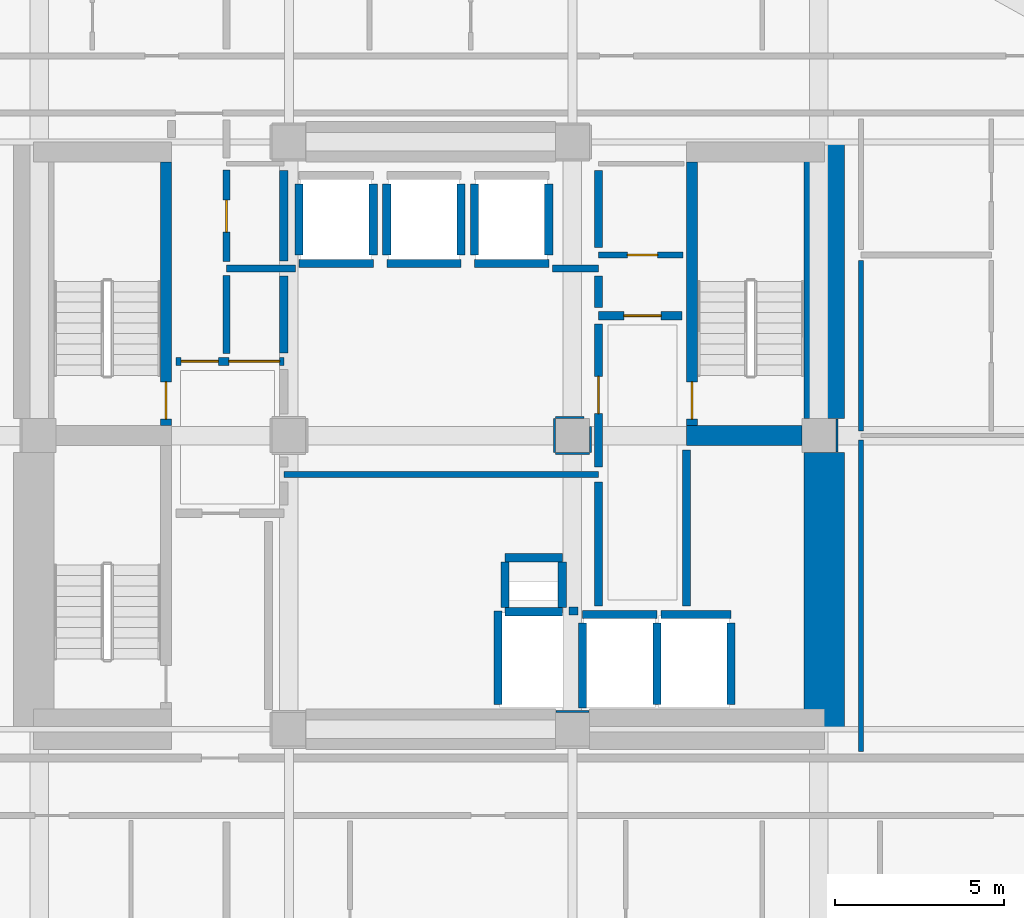
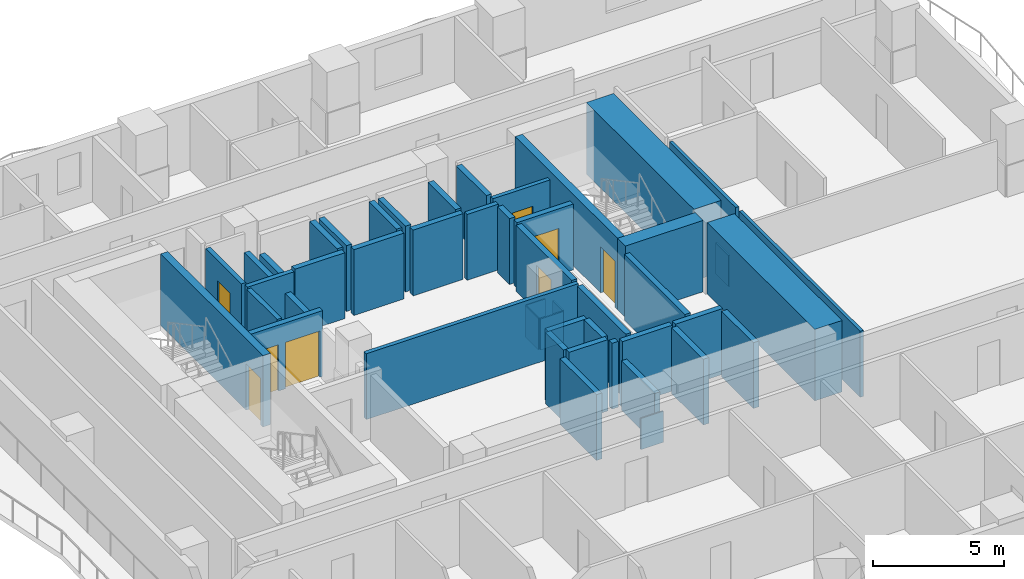
# One storey, part 4 of 10: 48 walls, 8 doors, 8 openings.
"""IFC4 building model written with IfcOpenShell, lengths in metres."""

from ifc_helpers import new_model, si_unit, direction, frame, frame_2d, origin, place, context, subcontext, project, spatial, rectangle, extrude, material, layer, layer_set, type_object, element, fill, save


model = new_model("IFC4")

# Units and contexts
model_context = context("Model", 3, precision=1e-05, world=origin(), true_north=direction((0.0, 1.0)))
body_context = subcontext(model_context, "Body", "Model", "MODEL_VIEW")
ifc_project = project(units=[si_unit("LENGTHUNIT", "METRE"), si_unit("AREAUNIT", "SQUARE_METRE"), si_unit("VOLUMEUNIT", "CUBIC_METRE"), si_unit("PLANEANGLEUNIT", "RADIAN"), si_unit("MASSUNIT", "GRAM", prefix="KILO")], contexts=[model_context])

# Site, building, storey
site_placement = place(None, origin())
site = spatial("IfcSite", under=ifc_project, at=site_placement, CompositionType="ELEMENT")
building_placement = place(site_placement, origin())
building = spatial("IfcBuilding", under=site, at=building_placement, Name="Solanera Arch Residences", CompositionType="ELEMENT")
storey_placement = place(building_placement, frame((0.0, 0.0, 51.8798828125)))
storey = spatial("IfcBuildingStorey", under=building, at=storey_placement, Name="L14", CompositionType="ELEMENT", Elevation=51.8798828125)

# Walls
ifc_material_1 = material(Name="Fire-Rated Gypsum Stud Partition", Category="gypsum")
ifc_layer_1 = layer(ifc_material_1, 0.06005859375)
ifc_layer_set_1 = layer_set([ifc_layer_1], Name="Fire-Rated Gypsum Stud Partition")
wall_type_1 = type_object("IfcWallType", Name="Column Acoustic Furring Wall 60", PredefinedType="PARTITIONING", material=ifc_layer_set_1)
for number, where, z_axis, x_axis, name in (
    (1, (28.7099609375, 22.531982421875, 0.0), (0.0, 0.0, 1.0), (1.0, 0.0, 0.0), "L14 Column Furring 2N"),
    (2, (37.031982421875, 30.2099609375, 0.0), (0.0, 0.0, 1.0), (0.0, 1.0, 0.0), "L14 Column Furring 6E"),
):
    element("IfcWall", number, at=place(storey_placement, frame(where, z_axis=z_axis, x_axis=x_axis)), inside=storey, type_object=wall_type_1, Name=name, PredefinedType="PARTITIONING", context=body_context, shape_type="SweptSolid", body=[
        extrude(rectangle(XDim=0.97998046875, YDim=0.06005859375, at=frame_2d((0.489990234375, 0.0))), origin(), (0.0, 0.0, 1.0), 1.4501953125),
    ])
wall_1_placement = place(storey_placement, frame((28.699951171875, 30.16796875, 0.0), z_axis=(0.0, 0.0, 1.0), x_axis=(1.0, 0.0, 0.0)))
element("IfcWall", 3, at=wall_1_placement, inside=storey, type_object=wall_type_1, Name="L14 Column Furring 8S", PredefinedType="PARTITIONING", context=body_context, shape_type="SweptSolid", body=[
    extrude(rectangle(XDim=1.0, YDim=0.06005859375, at=frame_2d((0.5, 0.0))), origin(), (0.0, 0.0, 1.0), 1.4501953125),
])
wall_2_placement = place(storey_placement, frame((28.699951171875, 31.23193359375, 0.0), z_axis=(0.0, 0.0, 1.0), x_axis=(1.0, 0.0, 0.0)))
element("IfcWall", 4, at=wall_2_placement, inside=storey, type_object=wall_type_1, Name="L14 Column Furring 8N", PredefinedType="PARTITIONING", context=body_context, shape_type="SweptSolid", body=[
    extrude(rectangle(XDim=0.841064453125, YDim=0.06005859375, at=frame_2d((0.42041015625, 0.0))), origin(), (0.0, 0.0, 1.0), 1.4501953125),
])
wall_3_placement = place(storey_placement, frame((28.66796875, 30.199951171875, 0.0), z_axis=(0.0, 0.0, 1.0), x_axis=(0.0, 1.0, 0.0)))
element("IfcWall", 5, at=wall_3_placement, inside=storey, type_object=wall_type_1, Name="L14 Column Furring 8W", PredefinedType="PARTITIONING", context=body_context, shape_type="SweptSolid", body=[
    extrude(rectangle(XDim=1.0, YDim=0.06005859375, at=frame_2d((0.5, 0.0))), origin(), (0.0, 0.0, 1.0), 1.4501953125),
])
wall_4_placement = place(storey_placement, frame((29.73193359375, 30.199951171875, 0.0), z_axis=(0.0, 0.0, 1.0), x_axis=(0.0, 1.0, 0.0)))
element("IfcWall", 6, at=wall_4_placement, inside=storey, type_object=wall_type_1, Name="L14 Column Furring 8E", PredefinedType="PARTITIONING", context=body_context, shape_type="SweptSolid", body=[
    extrude(rectangle(XDim=0.77197265625, YDim=0.06005859375, at=frame_2d((0.385986328125, 0.0))), origin(), (0.0, 0.0, 1.0), 1.4501953125),
])
ifc_material_2 = material(Name="Concrete C55/67 (f'c = 60 MPa)", Category="concrete")
ifc_layer_2 = layer(ifc_material_2, 1.199951171875)
ifc_layer_set_2 = layer_set([ifc_layer_2], Name="Concrete C55/67 (f'c = 60 MPa)")
wall_type_2 = type_object("IfcWallType", Name="Core Shear Wall CW-1200", PredefinedType="SHEAR", material=ifc_layer_set_2)
wall_5_placement = place(storey_placement, frame((36.659912109375, 22.0, 0.0), z_axis=(0.0, 0.0, 1.0), x_axis=(0.0, 1.0, 0.0)))
element("IfcWall", 7, at=wall_5_placement, inside=storey, type_object=wall_type_2, Name="L14 East Core South Shear Wall", PredefinedType="SHEAR", context=body_context, shape_type="SweptSolid", body=[
    extrude(rectangle(XDim=8.195068359375, YDim=1.199951171875, at=frame_2d((4.09765625, 0.0))), origin(), (0.0, 0.0, 1.0), 3.320068359375),
])
wall_6_placement = place(storey_placement, frame((36.659912109375, 31.205078125, 0.0), z_axis=(0.0, 0.0, 1.0), x_axis=(0.0, 1.0, 0.0)))
element("IfcWall", 8, at=wall_6_placement, inside=storey, type_object=wall_type_2, Name="L14 East Core North Shear Wall", PredefinedType="SHEAR", context=body_context, shape_type="SweptSolid", body=[
    extrude(rectangle(XDim=8.19482421875, YDim=1.199951171875, at=frame_2d((4.097412109375, 0.0))), origin(), (0.0, 0.0, 1.0), 3.320068359375),
])

# Wall, opening, door
ifc_material_3 = material(Name="Concrete C40/50 (f'c = 45 MPa)", Category="concrete")
ifc_layer_3 = layer(ifc_material_3, 0.320068359375)
ifc_layer_set_3 = layer_set([ifc_layer_3], Name="Concrete C40/50 (f'c = 45 MPa)")
wall_type_3 = type_object("IfcWallType", Name="Core Shear Wall CW-320", PredefinedType="SHEAR", material=ifc_layer_set_3)
wall_7_placement = place(storey_placement, frame((17.159912109375, 31.0, 0.0), z_axis=(0.0, 0.0, 1.0), x_axis=(0.0, 1.0, 0.0)))
wall_7 = element("IfcWall", 9, at=wall_7_placement, inside=storey, type_object=wall_type_3, Name="L14 Stair ST-T1 East Shear Wall", PredefinedType="SHEAR", context=body_context, shape_type="SweptSolid", body=[
    extrude(rectangle(XDim=7.800048828125, YDim=0.320068359375, at=frame_2d((3.89990234375, 0.0))), origin(), (0.0, 0.0, 1.0), 3.320068359375),
])
opening_1_placement = place(wall_7_placement, frame((0.18994140625, 0.0, 0.0)))
opening_1 = element("IfcOpeningElement", 10, at=opening_1_placement, cuts=wall_7, Name="Opening DF-01", PredefinedType="OPENING", context=body_context, shape_type="SweptSolid", body=[
    extrude(rectangle(XDim=1.10009765625, YDim=2.14990234375, at=frame_2d((0.550048828125, 1.074951171875))), frame((0.0, 0.169921875, 0.0), z_axis=(0.0, -1.0, 0.0), x_axis=(1.0, 0.0, 0.0)), (0.0, 0.0, 1.0), 0.3401),
])
ifc_material_4 = material(Name="Fire-Rated Architectural Hardwood", Category="wood")
door_type_1 = type_object("IfcDoorType", Name="Stair Exit Fire Door DF-01", OperationType="NOTDEFINED", PredefinedType="DOOR", material=ifc_material_4)
door_1_placement = place(opening_1_placement, origin())
door_1 = element("IfcDoor", 11, at=door_1_placement, inside=storey, type_object=door_type_1, Name="DR-L14-STAIR-ST-T1", OperationType="SINGLE_SWING_RIGHT", OverallHeight=2.14990234375, OverallWidth=1.10009765625, PredefinedType="DOOR", context=body_context, shape_type="SweptSolid", body=[
    extrude(rectangle(XDim=1.10009765625, YDim=2.14990234375, at=frame_2d((0.550048828125, 1.074951171875))), frame((0.0, 0.02490234375, 0.0), z_axis=(0.0, -1.0, 0.0), x_axis=(1.0, 0.0, 0.0)), (0.0, 0.0, 1.0), 0.050048828125),
])
fill(opening_1, door_1)

wall_8_placement = place(storey_placement, frame((32.739990234375, 31.0, 0.0), z_axis=(0.0, 0.0, 1.0), x_axis=(0.0, 1.0, 0.0)))
wall_8 = element("IfcWall", 12, at=wall_8_placement, inside=storey, type_object=wall_type_3, Name="L14 Stair ST-T2 West Shear Wall", PredefinedType="SHEAR", context=body_context, shape_type="SweptSolid", body=[
    extrude(rectangle(XDim=7.800048828125, YDim=0.320068359375, at=frame_2d((3.89990234375, 0.0))), origin(), (0.0, 0.0, 1.0), 3.320068359375),
])
opening_2_placement = place(wall_8_placement, frame((0.18994140625, 0.0, 0.0)))
opening_2 = element("IfcOpeningElement", 13, at=opening_2_placement, cuts=wall_8, Name="Opening DF-01", PredefinedType="OPENING", context=body_context, shape_type="SweptSolid", body=[
    extrude(rectangle(XDim=1.10009765625, YDim=2.14990234375, at=frame_2d((0.550048828125, 1.074951171875))), frame((0.0, 0.169921875, 0.0), z_axis=(0.0, -1.0, 0.0), x_axis=(1.0, 0.0, 0.0)), (0.0, 0.0, 1.0), 0.3401),
])
door_2_placement = place(opening_2_placement, origin())
door_2 = element("IfcDoor", 14, at=door_2_placement, inside=storey, type_object=door_type_1, Name="DR-L14-STAIR-ST-T2", OperationType="SINGLE_SWING_LEFT", OverallHeight=2.14990234375, OverallWidth=1.10009765625, PredefinedType="DOOR", context=body_context, shape_type="SweptSolid", body=[
    extrude(rectangle(XDim=1.10009765625, YDim=2.14990234375, at=frame_2d((0.550048828125, 1.074951171875))), frame((0.0, 0.02490234375, 0.0), z_axis=(0.0, -1.0, 0.0), x_axis=(1.0, 0.0, 0.0)), (0.0, 0.0, 1.0), 0.050048828125),
])
fill(opening_2, door_2)

# Walls
ifc_material_5 = material(Name="Concrete C40/50 (f'c = 45 MPa)", Category="concrete")
ifc_layer_4 = layer(ifc_material_5, 0.60009765625)
ifc_layer_set_4 = layer_set([ifc_layer_4], Name="Concrete C40/50 (f'c = 45 MPa)")
wall_type_4 = type_object("IfcWallType", Name="Core Shear Wall CW-600", PredefinedType="SHEAR", material=ifc_layer_set_4)
wall_9_placement = place(storey_placement, frame((32.580078125, 30.699951171875, 0.0), z_axis=(0.0, 0.0, 1.0), x_axis=(1.0, 0.0, 0.0)))
element("IfcWall", 15, at=wall_9_placement, inside=storey, type_object=wall_type_4, Name="L14 East Stair Far-Landing Shear Wall", PredefinedType="SHEAR", context=body_context, shape_type="SweptSolid", body=[
    extrude(rectangle(XDim=3.4150390625, YDim=0.60009765625, at=frame_2d((1.70751953125, 0.0))), origin(), (0.0, 0.0, 1.0), 3.320068359375),
])
ifc_material_6 = material(Name="Autoclaved Aerated Concrete Blockwork", Category="masonry")
ifc_layer_5 = layer(ifc_material_6, 0.179931640625)
ifc_layer_set_5 = layer_set([ifc_layer_5], Name="Autoclaved Aerated Concrete Blockwork")
wall_type_5 = type_object("IfcWallType", Name="Corridor Fire Partition 180", PredefinedType="PARTITIONING", material=ifc_layer_set_5)
wall_10_placement = place(storey_placement, frame((20.64990234375, 29.550048828125, 0.0), z_axis=(0.0, 0.0, 1.0), x_axis=(1.0, 0.0, 0.0)))
element("IfcWall", 16, at=wall_10_placement, inside=storey, type_object=wall_type_5, Name="L14 Interior Partition H8", PredefinedType="PARTITIONING", context=body_context, shape_type="SweptSolid", body=[
    extrude(rectangle(XDim=9.3251953125, YDim=0.179931640625, at=frame_2d((4.66259765625, 0.0))), origin(), (0.0, 0.0, 1.0), 3.06005859375),
])

# Wall, opening, door
wall_11_placement = place(storey_placement, frame((29.97509765625, 36.050048828125, 0.0), z_axis=(0.0, 0.0, 1.0), x_axis=(1.0, 0.0, 0.0)))
wall_11 = element("IfcWall", 17, at=wall_11_placement, inside=storey, type_object=wall_type_5, Name="L14 Interior Partition H9", PredefinedType="PARTITIONING", context=body_context, shape_type="SweptSolid", body=[
    extrude(rectangle(XDim=2.5048828125, YDim=0.179931640625, at=frame_2d((1.25244140625, 0.0))), origin(), (0.0, 0.0, 1.0), 3.06005859375),
])
opening_3_placement = place(wall_11_placement, frame((0.85205078125, 0.0, 0.0)))
opening_3 = element("IfcOpeningElement", 18, at=opening_3_placement, cuts=wall_11, Name="Opening DI-02", PredefinedType="OPENING", context=body_context, shape_type="SweptSolid", body=[
    extrude(rectangle(XDim=0.89990234375, YDim=2.10009765625, at=frame_2d((0.449951171875, 1.050048828125))), frame((0.0, 0.10009765625, 0.0), z_axis=(0.0, -1.0, 0.0), x_axis=(1.0, 0.0, 0.0)), (0.0, 0.0, 1.0), 0.1999),
])
ifc_material_7 = material(Name="Fire-Rated Architectural Hardwood", Category="wood")
door_type_2 = type_object("IfcDoorType", Name="Suite Room Swing Door DI-02", OperationType="NOTDEFINED", PredefinedType="DOOR", material=ifc_material_7)
door_3_placement = place(opening_3_placement, origin())
door_3 = element("IfcDoor", 19, at=door_3_placement, inside=storey, type_object=door_type_2, Name="DR-L14-IN-013", OperationType="SINGLE_SWING_RIGHT", OverallHeight=2.10009765625, OverallWidth=0.89990234375, PredefinedType="DOOR", context=body_context, shape_type="SweptSolid", body=[
    extrude(rectangle(XDim=0.89990234375, YDim=2.10009765625, at=frame_2d((0.449951171875, 1.050048828125))), frame((0.0, 0.02490234375, 0.0), z_axis=(0.0, -1.0, 0.0), x_axis=(1.0, 0.0, 0.0)), (0.0, 0.0, 1.0), 0.050048828125),
])
fill(opening_3, door_3)

# Walls
ifc_material_8 = material(Name="Autoclaved Aerated Concrete Blockwork", Category="masonry")
ifc_layer_6 = layer(ifc_material_8, 0.199951171875)
ifc_layer_set_6 = layer_set([ifc_layer_6], Name="Autoclaved Aerated Concrete Blockwork")
wall_type_6 = type_object("IfcWallType", Name="Party Wall Acoustic 200", PredefinedType="PARTITIONING", material=ifc_layer_set_6)
wall_12_placement = place(storey_placement, frame((18.949951171875, 35.64990234375, 0.0), z_axis=(0.0, 0.0, 1.0), x_axis=(1.0, 0.0, 0.0)))
element("IfcWall", 20, at=wall_12_placement, inside=storey, type_object=wall_type_6, Name="L14 Interior Partition H6 1", PredefinedType="PARTITIONING", context=body_context, shape_type="SweptSolid", body=[
    extrude(rectangle(XDim=2.046142578125, YDim=0.199951171875, at=frame_2d((1.02294921875, 0.0))), origin(), (0.0, 0.0, 1.0), 3.06005859375),
])
wall_13_placement = place(storey_placement, frame((28.60400390625, 35.64990234375, 0.0), z_axis=(0.0, 0.0, 1.0), x_axis=(1.0, 0.0, 0.0)))
element("IfcWall", 21, at=wall_13_placement, inside=storey, type_object=wall_type_6, Name="L14 Interior Partition H6 2", PredefinedType="PARTITIONING", context=body_context, shape_type="SweptSolid", body=[
    extrude(rectangle(XDim=1.37109375, YDim=0.199951171875, at=frame_2d((0.685546875, 0.0))), origin(), (0.0, 0.0, 1.0), 3.06005859375),
])
wall_14_placement = place(storey_placement, frame((18.949951171875, 33.1279296875, 0.0), z_axis=(0.0, 0.0, 1.0), x_axis=(0.0, 1.0, 0.0)))
element("IfcWall", 22, at=wall_14_placement, inside=storey, type_object=wall_type_6, Name="L14 Interior Partition V7 1", PredefinedType="PARTITIONING", context=body_context, shape_type="SweptSolid", body=[
    extrude(rectangle(XDim=2.31396484375, YDim=0.199951171875, at=frame_2d((1.156982421875, 0.0))), origin(), (0.0, 0.0, 1.0), 3.06005859375),
])

# Wall, opening, door
wall_15_placement = place(storey_placement, frame((18.949951171875, 35.85791015625, 0.0), z_axis=(0.0, 0.0, 1.0), x_axis=(0.0, 1.0, 0.0)))
wall_15 = element("IfcWall", 23, at=wall_15_placement, inside=storey, type_object=wall_type_6, Name="L14 Interior Partition V7 2", PredefinedType="PARTITIONING", context=body_context, shape_type="SweptSolid", body=[
    extrude(rectangle(XDim=2.714111328125, YDim=0.199951171875, at=frame_2d((1.35693359375, 0.0))), origin(), (0.0, 0.0, 1.0), 3.06005859375),
])
opening_4_placement = place(wall_15_placement, frame((0.866943359375, 0.0, 0.0)))
opening_4 = element("IfcOpeningElement", 24, at=opening_4_placement, cuts=wall_15, Name="Opening DI-04", PredefinedType="OPENING", context=body_context, shape_type="SweptSolid", body=[
    extrude(rectangle(XDim=0.949951171875, YDim=2.10009765625, at=frame_2d((0.47509765625, 1.050048828125))), frame((0.0, 0.110107421875, 0.0), z_axis=(0.0, -1.0, 0.0), x_axis=(1.0, 0.0, 0.0)), (0.0, 0.0, 1.0), 0.22),
])
ifc_material_9 = material(Name="Fire-Rated Architectural Hardwood", Category="wood")
door_type_3 = type_object("IfcDoorType", Name="Accessible Restroom Door DI-04", OperationType="NOTDEFINED", PredefinedType="DOOR", material=ifc_material_9)
door_4_placement = place(opening_4_placement, origin())
door_4 = element("IfcDoor", 25, at=door_4_placement, inside=storey, type_object=door_type_3, Name="DR-L14-IN-014", OperationType="SINGLE_SWING_LEFT", OverallHeight=2.10009765625, OverallWidth=0.949951171875, PredefinedType="DOOR", context=body_context, shape_type="SweptSolid", body=[
    extrude(rectangle(XDim=0.949951171875, YDim=2.10009765625, at=frame_2d((0.47509765625, 1.050048828125))), frame((0.0, 0.02490234375, 0.0), z_axis=(0.0, -1.0, 0.0), x_axis=(1.0, 0.0, 0.0)), (0.0, 0.0, 1.0), 0.050048828125),
])
fill(opening_4, door_4)

# Walls
ifc_material_10 = material(Name="Concrete C40/50 (f'c = 45 MPa)", Category="concrete")
ifc_layer_7 = layer(ifc_material_10, 0.239990234375)
ifc_layer_set_7 = layer_set([ifc_layer_7], Name="Concrete C40/50 (f'c = 45 MPa)")
wall_type_7 = type_object("IfcWallType", Name="Ramp Bearing Shear Wall RW-240", PredefinedType="SHEAR", material=ifc_layer_set_7)
for number, where, z_axis, x_axis, name in (
    (26, (27.199951171875, 25.47998046875, 0.0), (0.0, 0.0, 1.0), (1.0, 0.0, 0.0), "L14 Core MEP Riser South Shaft Wall"),
    (27, (27.199951171875, 27.080078125, 0.0), (0.0, 0.0, 1.0), (1.0, 0.0, 0.0), "L14 Core MEP Riser North Shaft Wall"),
):
    element("IfcWall", number, at=place(storey_placement, frame(where, z_axis=z_axis, x_axis=x_axis)), inside=storey, type_object=wall_type_7, Name=name, PredefinedType="SHEAR", context=body_context, shape_type="SweptSolid", body=[
        extrude(rectangle(XDim=1.699951171875, YDim=0.239990234375, at=frame_2d((0.85009765625, 0.0))), origin(), (0.0, 0.0, 1.0), 3.320068359375),
    ])
for number, where, z_axis, x_axis, name in (
    (28, (27.199951171875, 25.60009765625, 0.0), (0.0, 0.0, 1.0), (0.0, 1.0, 0.0), "L14 Core MEP Riser West Shaft Wall"),
    (29, (28.89990234375, 25.60009765625, 0.0), (0.0, 0.0, 1.0), (0.0, 1.0, 0.0), "L14 Core MEP Riser East Shaft Wall"),
):
    element("IfcWall", number, at=place(storey_placement, frame(where, z_axis=z_axis, x_axis=x_axis)), inside=storey, type_object=wall_type_7, Name=name, PredefinedType="SHEAR", context=body_context, shape_type="SweptSolid", body=[
        extrude(rectangle(XDim=1.35986328125, YDim=0.239990234375, at=frame_2d((0.679931640625, 0.0))), origin(), (0.0, 0.0, 1.0), 3.320068359375),
    ])
ifc_material_11 = material(Name="Autoclaved Aerated Concrete Blockwork", Category="masonry")
ifc_layer_8 = layer(ifc_material_11, 0.239990234375)
ifc_layer_set_8 = layer_set([ifc_layer_8], Name="Autoclaved Aerated Concrete Blockwork")
wall_type_8 = type_object("IfcWallType", Name="Shaft Wall Fire-Rated 240", PredefinedType="PARTITIONING", material=ifc_layer_set_8)
wall_16_placement = place(storey_placement, frame((21.10009765625, 35.800048828125, 0.0), z_axis=(0.0, 0.0, 1.0), x_axis=(1.0, 0.0, 0.0)))
element("IfcWall", 30, at=wall_16_placement, inside=storey, type_object=wall_type_8, Name="L14 Lift PL-L1 Hoistway Wall S", PredefinedType="PARTITIONING", context=body_context, shape_type="SweptSolid", body=[
    extrude(rectangle(XDim=2.199951171875, YDim=0.239990234375, at=frame_2d((1.10009765625, 0.0))), origin(), (0.0, 0.0, 1.0), 3.06005859375),
])
wall_17_placement = place(storey_placement, frame((21.10009765625, 36.048095703125, 0.0), z_axis=(0.0, 0.0, 1.0), x_axis=(0.0, 1.0, 0.0)))
element("IfcWall", 31, at=wall_17_placement, inside=storey, type_object=wall_type_8, Name="L14 Lift PL-L1 Hoistway Wall W", PredefinedType="PARTITIONING", context=body_context, shape_type="SweptSolid", body=[
    extrude(rectangle(XDim=2.10400390625, YDim=0.239990234375, at=frame_2d((1.052001953125, 0.0))), origin(), (0.0, 0.0, 1.0), 2.295166015625),
])
wall_18_placement = place(storey_placement, frame((23.300048828125, 36.048095703125, 0.0), z_axis=(0.0, 0.0, 1.0), x_axis=(0.0, 1.0, 0.0)))
element("IfcWall", 32, at=wall_18_placement, inside=storey, type_object=wall_type_8, Name="L14 Lift PL-L1 Hoistway Wall E", PredefinedType="PARTITIONING", context=body_context, shape_type="SweptSolid", body=[
    extrude(rectangle(XDim=2.10400390625, YDim=0.239990234375, at=frame_2d((1.052001953125, 0.0))), origin(), (0.0, 0.0, 1.0), 3.06005859375),
])
wall_19_placement = place(storey_placement, frame((23.699951171875, 35.800048828125, 0.0), z_axis=(0.0, 0.0, 1.0), x_axis=(1.0, 0.0, 0.0)))
element("IfcWall", 33, at=wall_19_placement, inside=storey, type_object=wall_type_8, Name="L14 Lift PL-L2 Hoistway Wall S", PredefinedType="PARTITIONING", context=body_context, shape_type="SweptSolid", body=[
    extrude(rectangle(XDim=2.199951171875, YDim=0.239990234375, at=frame_2d((1.10009765625, 0.0))), origin(), (0.0, 0.0, 1.0), 3.06005859375),
])
for number, where, z_axis, x_axis, name in (
    (34, (23.699951171875, 36.048095703125, 0.0), (0.0, 0.0, 1.0), (0.0, 1.0, 0.0), "L14 Lift PL-L2 Hoistway Wall W"),
    (35, (25.89990234375, 36.048095703125, 0.0), (0.0, 0.0, 1.0), (0.0, 1.0, 0.0), "L14 Lift PL-L2 Hoistway Wall E"),
):
    element("IfcWall", number, at=place(storey_placement, frame(where, z_axis=z_axis, x_axis=x_axis)), inside=storey, type_object=wall_type_8, Name=name, PredefinedType="PARTITIONING", context=body_context, shape_type="SweptSolid", body=[
        extrude(rectangle(XDim=2.10400390625, YDim=0.239990234375, at=frame_2d((1.052001953125, 0.0))), origin(), (0.0, 0.0, 1.0), 3.06005859375),
    ])
wall_20_placement = place(storey_placement, frame((26.300048828125, 35.800048828125, 0.0), z_axis=(0.0, 0.0, 1.0), x_axis=(1.0, 0.0, 0.0)))
element("IfcWall", 36, at=wall_20_placement, inside=storey, type_object=wall_type_8, Name="L14 Lift PL-L3 Hoistway Wall S", PredefinedType="PARTITIONING", context=body_context, shape_type="SweptSolid", body=[
    extrude(rectangle(XDim=2.199951171875, YDim=0.239990234375, at=frame_2d((1.10009765625, 0.0))), origin(), (0.0, 0.0, 1.0), 3.06005859375),
])
for number, where, z_axis, x_axis, name in (
    (37, (26.300048828125, 36.048095703125, 0.0), (0.0, 0.0, 1.0), (0.0, 1.0, 0.0), "L14 Lift PL-L3 Hoistway Wall W"),
    (38, (28.5, 36.048095703125, 0.0), (0.0, 0.0, 1.0), (0.0, 1.0, 0.0), "L14 Lift PL-L3 Hoistway Wall E"),
):
    element("IfcWall", number, at=place(storey_placement, frame(where, z_axis=z_axis, x_axis=x_axis)), inside=storey, type_object=wall_type_8, Name=name, PredefinedType="PARTITIONING", context=body_context, shape_type="SweptSolid", body=[
        extrude(rectangle(XDim=2.10400390625, YDim=0.239990234375, at=frame_2d((1.052001953125, 0.0))), origin(), (0.0, 0.0, 1.0), 3.06005859375),
    ])
wall_21_placement = place(storey_placement, frame((29.5, 25.39990234375, 0.0), z_axis=(0.0, 0.0, 1.0), x_axis=(1.0, 0.0, 0.0)))
element("IfcWall", 39, at=wall_21_placement, inside=storey, type_object=wall_type_8, Name="L14 Lift FFL-1 Hoistway Wall N", PredefinedType="PARTITIONING", context=body_context, shape_type="SweptSolid", body=[
    extrude(rectangle(XDim=2.199951171875, YDim=0.239990234375, at=frame_2d((1.10009765625, 0.0))), origin(), (0.0, 0.0, 1.0), 3.06005859375),
])
wall_22_placement = place(storey_placement, frame((29.5, 22.632080078125, 0.0), z_axis=(0.0, 0.0, 1.0), x_axis=(0.0, 1.0, 0.0)))
element("IfcWall", 40, at=wall_22_placement, inside=storey, type_object=wall_type_8, Name="L14 Lift FFL-1 Hoistway Wall W", PredefinedType="PARTITIONING", context=body_context, shape_type="SweptSolid", body=[
    extrude(rectangle(XDim=2.52001953125, YDim=0.239990234375, at=frame_2d((1.260009765625, 0.0))), origin(), (0.0, 0.0, 1.0), 2.295166015625),
])
wall_23_placement = place(storey_placement, frame((31.699951171875, 22.72998046875, 0.0), z_axis=(0.0, 0.0, 1.0), x_axis=(0.0, 1.0, 0.0)))
element("IfcWall", 41, at=wall_23_placement, inside=storey, type_object=wall_type_8, Name="L14 Lift FFL-1 Hoistway Wall E", PredefinedType="PARTITIONING", context=body_context, shape_type="SweptSolid", body=[
    extrude(rectangle(XDim=2.422119140625, YDim=0.239990234375, at=frame_2d((1.2109375, 0.0))), origin(), (0.0, 0.0, 1.0), 3.06005859375),
])
wall_24_placement = place(storey_placement, frame((31.827880859375, 25.39990234375, 0.0), z_axis=(0.0, 0.0, 1.0), x_axis=(1.0, 0.0, 0.0)))
element("IfcWall", 42, at=wall_24_placement, inside=storey, type_object=wall_type_8, Name="L14 Lift FFL-2 Hoistway Wall N", PredefinedType="PARTITIONING", context=body_context, shape_type="SweptSolid", body=[
    extrude(rectangle(XDim=2.072021484375, YDim=0.239990234375, at=frame_2d((1.0361328125, 0.0))), origin(), (0.0, 0.0, 1.0), 3.06005859375),
])
wall_25_placement = place(storey_placement, frame((33.89990234375, 22.72998046875, 0.0), z_axis=(0.0, 0.0, 1.0), x_axis=(0.0, 1.0, 0.0)))
element("IfcWall", 43, at=wall_25_placement, inside=storey, type_object=wall_type_8, Name="L14 Lift FFL-2 Hoistway Wall E", PredefinedType="PARTITIONING", context=body_context, shape_type="SweptSolid", body=[
    extrude(rectangle(XDim=2.422119140625, YDim=0.239990234375, at=frame_2d((1.2109375, 0.0))), origin(), (0.0, 0.0, 1.0), 3.06005859375),
])
wall_26_placement = place(storey_placement, frame((29.10302734375, 25.5, 0.0), z_axis=(0.0, 0.0, 1.0), x_axis=(1.0, 0.0, 0.0)))
element("IfcWall", 44, at=wall_26_placement, inside=storey, type_object=wall_type_8, Name="L14 Lift SVL-1 Hoistway Wall N", PredefinedType="PARTITIONING", context=body_context, shape_type="SweptSolid", body=[
    extrude(rectangle(XDim=0.26904296875, YDim=0.239990234375, at=frame_2d((0.134521484375, 0.0))), origin(), (0.0, 0.0, 1.0), 3.06005859375),
])
wall_27_placement = place(storey_placement, frame((27.0, 22.72998046875, 0.0), z_axis=(0.0, 0.0, 1.0), x_axis=(0.0, 1.0, 0.0)))
element("IfcWall", 45, at=wall_27_placement, inside=storey, type_object=wall_type_8, Name="L14 Lift SVL-1 Hoistway Wall W", PredefinedType="PARTITIONING", context=body_context, shape_type="SweptSolid", body=[
    extrude(rectangle(XDim=2.76806640625, YDim=0.239990234375, at=frame_2d((1.384033203125, 0.0))), origin(), (0.0, 0.0, 1.0), 3.06005859375),
])

# Wall, openings, doors
wall_28_placement = place(storey_placement, frame((17.449951171875, 32.89990234375, 0.0), z_axis=(0.0, 0.0, 1.0), x_axis=(1.0, 0.0, 0.0)))
wall_28 = element("IfcWall", 46, at=wall_28_placement, inside=storey, type_object=wall_type_8, Name="L14 Interior Partition H4", PredefinedType="PARTITIONING", context=body_context, shape_type="SweptSolid", body=[
    extrude(rectangle(XDim=3.199951171875, YDim=0.239990234375, at=frame_2d((1.60009765625, 0.0))), origin(), (0.0, 0.0, 1.0), 3.06005859375),
])
opening_5_placement = place(wall_28_placement, frame((0.158935546875, 0.0, 0.0)))
opening_5 = element("IfcOpeningElement", 47, at=opening_5_placement, cuts=wall_28, Name="Opening DF-02", PredefinedType="OPENING", context=body_context, shape_type="SweptSolid", body=[
    extrude(rectangle(XDim=1.10009765625, YDim=2.14990234375, at=frame_2d((0.550048828125, 1.074951171875))), frame((0.0, 0.1298828125, 0.0), z_axis=(0.0, -1.0, 0.0), x_axis=(1.0, 0.0, 0.0)), (0.0, 0.0, 1.0), 0.26),
])
opening_6_placement = place(wall_28_placement, frame((1.575927734375, 0.0, 0.0)))
opening_6 = element("IfcOpeningElement", 48, at=opening_6_placement, cuts=wall_28, Name="Opening DP-01", PredefinedType="OPENING", context=body_context, shape_type="SweptSolid", body=[
    extrude(rectangle(XDim=1.5, YDim=2.14990234375, at=frame_2d((0.75, 1.074951171875))), frame((0.0, 0.1298828125, 0.0), z_axis=(0.0, -1.0, 0.0), x_axis=(1.0, 0.0, 0.0)), (0.0, 0.0, 1.0), 0.26),
])
ifc_material_12 = material(Name="Fire-Rated Architectural Hardwood", Category="wood")
door_type_4 = type_object("IfcDoorType", Name="Firefighting Lobby Fire Door DF-02", OperationType="NOTDEFINED", PredefinedType="DOOR", material=ifc_material_12)
door_5_placement = place(opening_5_placement, origin())
door_5 = element("IfcDoor", 49, at=door_5_placement, inside=storey, type_object=door_type_4, Name="DR-L14-IN-005", OperationType="SINGLE_SWING_RIGHT", OverallHeight=2.14990234375, OverallWidth=1.10009765625, PredefinedType="DOOR", context=body_context, shape_type="SweptSolid", body=[
    extrude(rectangle(XDim=1.10009765625, YDim=2.14990234375, at=frame_2d((0.550048828125, 1.074951171875))), frame((0.0, 0.02490234375, 0.0), z_axis=(0.0, -1.0, 0.0), x_axis=(1.0, 0.0, 0.0)), (0.0, 0.0, 1.0), 0.050048828125),
])
fill(opening_5, door_5)
ifc_material_13 = material(Name="Fire-Rated Architectural Hardwood", Category="wood")
door_type_5 = type_object("IfcDoorType", Name="Plant Double Fire Door DP-01", OperationType="NOTDEFINED", PredefinedType="DOOR", material=ifc_material_13)
door_6_placement = place(opening_6_placement, origin())
door_6 = element("IfcDoor", 50, at=door_6_placement, inside=storey, type_object=door_type_5, Name="DR-L14-IN-012", OperationType="SINGLE_SWING_LEFT", OverallHeight=2.14990234375, OverallWidth=1.5, PredefinedType="DOOR", context=body_context, shape_type="SweptSolid", body=[
    extrude(rectangle(XDim=1.5, YDim=2.14990234375, at=frame_2d((0.75, 1.074951171875))), frame((0.0, 0.02490234375, 0.0), z_axis=(0.0, -1.0, 0.0), x_axis=(1.0, 0.0, 0.0)), (0.0, 0.0, 1.0), 0.050048828125),
])
fill(opening_6, door_6)

# Wall, opening, door
wall_29_placement = place(storey_placement, frame((29.97509765625, 34.25, 0.0), z_axis=(0.0, 0.0, 1.0), x_axis=(1.0, 0.0, 0.0)))
wall_29 = element("IfcWall", 51, at=wall_29_placement, inside=storey, type_object=wall_type_8, Name="L14 Interior Partition H5", PredefinedType="PARTITIONING", context=body_context, shape_type="SweptSolid", body=[
    extrude(rectangle(XDim=2.474853515625, YDim=0.239990234375, at=frame_2d((1.2373046875, 0.0))), origin(), (0.0, 0.0, 1.0), 3.06005859375),
])
opening_7_placement = place(wall_29_placement, frame((0.751953125, 0.0, 0.0)))
opening_7 = element("IfcOpeningElement", 52, at=opening_7_placement, cuts=wall_29, Name="Opening DF-02", PredefinedType="OPENING", context=body_context, shape_type="SweptSolid", body=[
    extrude(rectangle(XDim=1.10009765625, YDim=2.14990234375, at=frame_2d((0.550048828125, 1.074951171875))), frame((0.0, 0.1298828125, 0.0), z_axis=(0.0, -1.0, 0.0), x_axis=(1.0, 0.0, 0.0)), (0.0, 0.0, 1.0), 0.26),
])
door_7_placement = place(opening_7_placement, origin())
door_7 = element("IfcDoor", 53, at=door_7_placement, inside=storey, type_object=door_type_4, Name="DR-L14-IN-007", OperationType="SINGLE_SWING_RIGHT", OverallHeight=2.14990234375, OverallWidth=1.10009765625, PredefinedType="DOOR", context=body_context, shape_type="SweptSolid", body=[
    extrude(rectangle(XDim=1.10009765625, YDim=2.14990234375, at=frame_2d((0.550048828125, 1.074951171875))), frame((0.0, 0.02490234375, 0.0), z_axis=(0.0, -1.0, 0.0), x_axis=(1.0, 0.0, 0.0)), (0.0, 0.0, 1.0), 0.050048828125),
])
fill(opening_7, door_7)

# Walls
wall_30_placement = place(storey_placement, frame((20.64990234375, 33.14794921875, 0.0), z_axis=(0.0, 0.0, 1.0), x_axis=(0.0, 1.0, 0.0)))
element("IfcWall", 54, at=wall_30_placement, inside=storey, type_object=wall_type_8, Name="L14 Interior Partition V3 4", PredefinedType="PARTITIONING", context=body_context, shape_type="SweptSolid", body=[
    extrude(rectangle(XDim=2.274169921875, YDim=0.239990234375, at=frame_2d((1.13720703125, 0.0))), origin(), (0.0, 0.0, 1.0), 2.295166015625),
])
wall_31_placement = place(storey_placement, frame((20.64990234375, 35.8779296875, 0.0), z_axis=(0.0, 0.0, 1.0), x_axis=(0.0, 1.0, 0.0)))
element("IfcWall", 55, at=wall_31_placement, inside=storey, type_object=wall_type_8, Name="L14 Interior Partition V3 5", PredefinedType="PARTITIONING", context=body_context, shape_type="SweptSolid", body=[
    extrude(rectangle(XDim=2.674072265625, YDim=0.239990234375, at=frame_2d((1.3369140625, 0.0))), origin(), (0.0, 0.0, 1.0), 2.295166015625),
])
wall_32_placement = place(storey_placement, frame((29.97509765625, 25.64794921875, 0.0), z_axis=(0.0, 0.0, 1.0), x_axis=(0.0, 1.0, 0.0)))
element("IfcWall", 56, at=wall_32_placement, inside=storey, type_object=wall_type_8, Name="L14 Interior Partition V4 1", PredefinedType="PARTITIONING", context=body_context, shape_type="SweptSolid", body=[
    extrude(rectangle(XDim=3.68408203125, YDim=0.239990234375, at=frame_2d((1.842041015625, 0.0))), origin(), (0.0, 0.0, 1.0), 3.06005859375),
])

# Wall, opening, door
wall_33_placement = place(storey_placement, frame((29.97509765625, 29.76806640625, 0.0), z_axis=(0.0, 0.0, 1.0), x_axis=(0.0, 1.0, 0.0)))
wall_33 = element("IfcWall", 57, at=wall_33_placement, inside=storey, type_object=wall_type_8, Name="L14 Interior Partition V4 2", PredefinedType="PARTITIONING", context=body_context, shape_type="SweptSolid", body=[
    extrude(rectangle(XDim=4.23388671875, YDim=0.239990234375, at=frame_2d((2.116943359375, 0.0))), origin(), (0.0, 0.0, 1.0), 3.06005859375),
])
opening_8_placement = place(wall_33_placement, frame((1.58203125, 0.0, 0.0)))
opening_8 = element("IfcOpeningElement", 58, at=opening_8_placement, cuts=wall_33, Name="Opening DF-02", PredefinedType="OPENING", context=body_context, shape_type="SweptSolid", body=[
    extrude(rectangle(XDim=1.10009765625, YDim=2.14990234375, at=frame_2d((0.550048828125, 1.074951171875))), frame((0.0, 0.1298828125, 0.0), z_axis=(0.0, -1.0, 0.0), x_axis=(1.0, 0.0, 0.0)), (0.0, 0.0, 1.0), 0.26),
])
door_8_placement = place(opening_8_placement, origin())
door_8 = element("IfcDoor", 59, at=door_8_placement, inside=storey, type_object=door_type_4, Name="DR-L14-IN-006", OperationType="SINGLE_SWING_LEFT", OverallHeight=2.14990234375, OverallWidth=1.10009765625, PredefinedType="DOOR", context=body_context, shape_type="SweptSolid", body=[
    extrude(rectangle(XDim=1.10009765625, YDim=2.14990234375, at=frame_2d((0.550048828125, 1.074951171875))), frame((0.0, 0.02490234375, 0.0), z_axis=(0.0, -1.0, 0.0), x_axis=(1.0, 0.0, 0.0)), (0.0, 0.0, 1.0), 0.050048828125),
])
fill(opening_8, door_8)

# Walls
wall_34_placement = place(storey_placement, frame((29.97509765625, 34.498046875, 0.0), z_axis=(0.0, 0.0, 1.0), x_axis=(0.0, 1.0, 0.0)))
element("IfcWall", 60, at=wall_34_placement, inside=storey, type_object=wall_type_8, Name="L14 Interior Partition V4 3", PredefinedType="PARTITIONING", context=body_context, shape_type="SweptSolid", body=[
    extrude(rectangle(XDim=0.924072265625, YDim=0.239990234375, at=frame_2d((0.4619140625, 0.0))), origin(), (0.0, 0.0, 1.0), 3.06005859375),
])
wall_35_placement = place(storey_placement, frame((29.97509765625, 36.26806640625, 0.0), z_axis=(0.0, 0.0, 1.0), x_axis=(0.0, 1.0, 0.0)))
element("IfcWall", 61, at=wall_35_placement, inside=storey, type_object=wall_type_8, Name="L14 Interior Partition V4 4", PredefinedType="PARTITIONING", context=body_context, shape_type="SweptSolid", body=[
    extrude(rectangle(XDim=2.283935546875, YDim=0.239990234375, at=frame_2d((1.14208984375, 0.0))), origin(), (0.0, 0.0, 1.0), 3.06005859375),
])
wall_36_placement = place(storey_placement, frame((32.580078125, 25.64794921875, 0.0), z_axis=(0.0, 0.0, 1.0), x_axis=(0.0, 1.0, 0.0)))
element("IfcWall", 62, at=wall_36_placement, inside=storey, type_object=wall_type_8, Name="L14 Interior Partition V5", PredefinedType="PARTITIONING", context=body_context, shape_type="SweptSolid", body=[
    extrude(rectangle(XDim=4.6220703125, YDim=0.239990234375, at=frame_2d((2.31103515625, 0.0))), origin(), (0.0, 0.0, 1.0), 3.06005859375),
])
ifc_material_14 = material(Name="Autoclaved Aerated Concrete Blockwork", Category="masonry")
ifc_layer_9 = layer(ifc_material_14, 0.139892578125)
ifc_layer_set_9 = layer_set([ifc_layer_9], Name="Autoclaved Aerated Concrete Blockwork")
wall_type_9 = type_object("IfcWallType", Name="Wet-Room Partition 140", PredefinedType="PARTITIONING", material=ifc_layer_set_9)
wall_37_placement = place(storey_placement, frame((37.75, 21.347900390625, 0.0), z_axis=(0.0, 0.0, 1.0), x_axis=(0.0, 1.0, 0.0)))
element("IfcWall", 63, at=wall_37_placement, inside=storey, type_object=wall_type_9, Name="L14 Interior Partition V21 1", PredefinedType="PARTITIONING", context=body_context, shape_type="SweptSolid", body=[
    extrude(rectangle(XDim=9.214111328125, YDim=0.139892578125, at=frame_2d((4.60693359375, 0.0))), origin(), (0.0, 0.0, 1.0), 3.06005859375),
])
wall_38_placement = place(storey_placement, frame((37.75, 30.837890625, 0.0), z_axis=(0.0, 0.0, 1.0), x_axis=(0.0, 1.0, 0.0)))
element("IfcWall", 64, at=wall_38_placement, inside=storey, type_object=wall_type_9, Name="L14 Interior Partition V21 2", PredefinedType="PARTITIONING", context=body_context, shape_type="SweptSolid", body=[
    extrude(rectangle(XDim=5.044189453125, YDim=0.139892578125, at=frame_2d((2.52197265625, 0.0))), origin(), (0.0, 0.0, 1.0), 3.06005859375),
])

save(model, "model.ifc")
